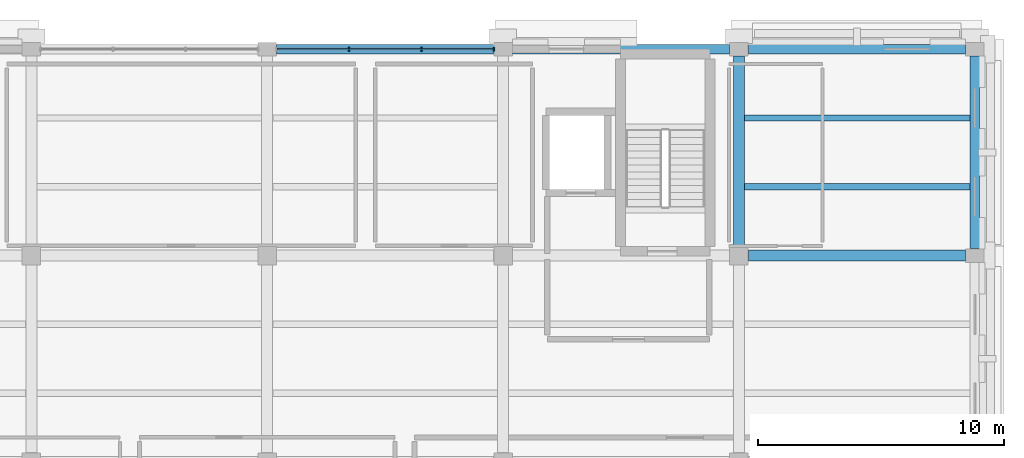
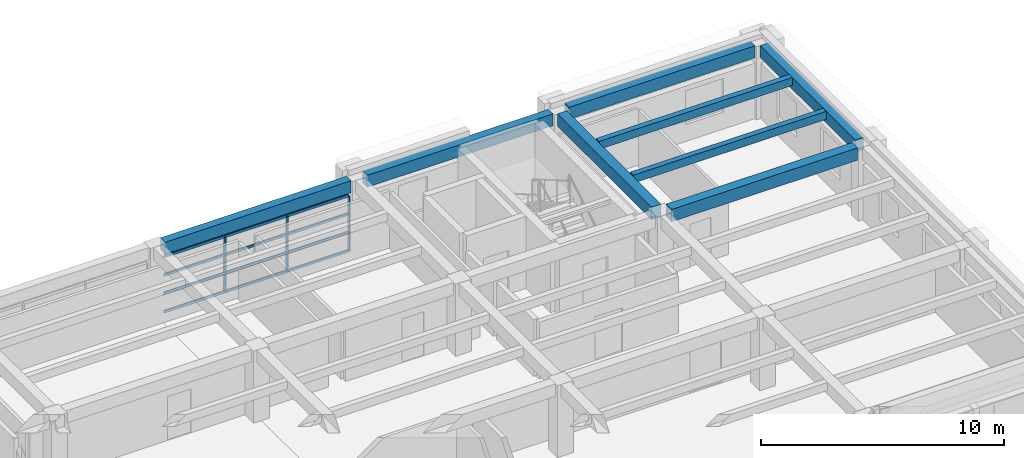
# One storey, part 4 of 12: 8 beams, 7 members, 1 element without a shape of its own.
"""IFC4 building model written with IfcOpenShell, lengths in metres."""

from ifc_helpers import new_model, si_unit, direction, frame, origin, origin_2d, place, context, subcontext, project, spatial, rectangle, extrude, material, layer, layer_set, material_profile, profile_set, type_object, element, aggregate, save


model = new_model("IFC4")

# Units and contexts
model_context = context("Model", 3, precision=1e-05, world=origin(), true_north=direction((0.0, 1.0)))
body_context = subcontext(model_context, "Body", "Model", "MODEL_VIEW")
ifc_project = project(units=[si_unit("LENGTHUNIT", "METRE"), si_unit("AREAUNIT", "SQUARE_METRE"), si_unit("VOLUMEUNIT", "CUBIC_METRE"), si_unit("PLANEANGLEUNIT", "RADIAN"), si_unit("MASSUNIT", "GRAM", prefix="KILO")], contexts=[model_context])

# Site, building, storey
site_placement = place(None, origin())
site = spatial("IfcSite", under=ifc_project, at=site_placement, CompositionType="ELEMENT")
building_placement = place(site_placement, origin())
building = spatial("IfcBuilding", under=site, at=building_placement, Name="Bempovik Park Faculty of Sciences", CompositionType="ELEMENT")
storey_placement = place(building_placement, frame((0.0, 0.0, 34.5)))
storey = spatial("IfcBuildingStorey", under=building, at=storey_placement, Name="L08", CompositionType="ELEMENT", Elevation=34.5)

# Beams
ifc_material_1 = material(Name="Concrete C35/45", Category="concrete")
ifc_material_profile_1 = material_profile(ifc_material_1, rectangle(XDim=0.3798828125, YDim=0.60009765625, at=origin_2d()), Name="RC 380x600")
ifc_profile_set_1 = profile_set([ifc_material_profile_1], Name="Concrete C35/45")
beam_type_1 = type_object("IfcBeamType", Name="B-032 RC 380x600", PredefinedType="SPANDREL", material=ifc_profile_set_1)
beam_1_placement = place(storey_placement, frame((89.180908203125, 119.39990234375, 3.320068359375), z_axis=(1.0, 0.0, 0.0), x_axis=(0.0, 1.0, 0.0)))
element("IfcBeam", 1, at=beam_1_placement, inside=storey, type_object=beam_type_1, Name="L08 Beam X (88.8-98.4, y=119.4)", PredefinedType="SPANDREL", context=body_context, shape_type="SweptSolid", body=[
    extrude(rectangle(XDim=0.3798828125, YDim=0.60009765625, at=origin_2d()), origin(), (0.0, 0.0, 1.0), 8.838134765625),
])
for number, where, z_axis, x_axis, name in (
    (2, (98.781005859375, 119.39990234375, 3.320068359375), (1.0, 0.0, 0.0), (0.0, 1.0, 0.0), "L08 Beam X (98.4-108.0, y=119.4)"),
    (3, (108.381103515625, 119.39990234375, 3.3798828125), (1.0, 0.0, 0.0), (0.0, 1.0, 0.0), "L08 Beam X (108.0-117.6, y=119.4)"),
):
    element("IfcBeam", number, at=place(storey_placement, frame(where, z_axis=z_axis, x_axis=x_axis)), inside=storey, type_object=beam_type_1, Name=name, PredefinedType="SPANDREL", context=body_context, shape_type="SweptSolid", body=[
        extrude(rectangle(XDim=0.3798828125, YDim=0.60009765625, at=origin_2d()), origin(), (0.0, 0.0, 1.0), 8.837890625),
    ])
beam_2_placement = place(storey_placement, frame((117.60009765625, 111.281005859375, 3.3798828125), z_axis=(0.0, 1.0, 0.0), x_axis=(-1.0, 0.0, 0.0)))
element("IfcBeam", 4, at=beam_2_placement, inside=storey, type_object=beam_type_1, Name="L08 Beam Y (x=117.6, 111.0-119.4)", PredefinedType="SPANDREL", context=body_context, shape_type="SweptSolid", body=[
    extrude(rectangle(XDim=0.3798828125, YDim=0.60009765625, at=origin_2d()), origin(), (0.0, 0.0, 1.0), 7.837890625),
])
ifc_material_profile_2 = material_profile(ifc_material_1, rectangle(XDim=0.260009765625, YDim=0.39990234375, at=origin_2d()), Name="RC 260x400")
ifc_profile_set_2 = profile_set([ifc_material_profile_2], Name="Concrete C35/45")
beam_type_2 = type_object("IfcBeamType", Name="B-063 RC 260x400", PredefinedType="JOIST", material=ifc_profile_set_2)
for number, where, z_axis, x_axis, name in (
    (5, (108.23095703125, 113.800048828125, 3.47998046875), (1.0, 0.0, 0.0), (0.0, 1.0, 0.0), "L08 Secondary Joist (108.0-117.6, y=113.80)"),
    (6, (108.23095703125, 116.60009765625, 3.47998046875), (1.0, 0.0, 0.0), (0.0, 1.0, 0.0), "L08 Secondary Joist (108.0-117.6, y=116.60)"),
):
    element("IfcBeam", number, at=place(storey_placement, frame(where, z_axis=z_axis, x_axis=x_axis)), inside=storey, type_object=beam_type_2, Name=name, PredefinedType="JOIST", context=body_context, shape_type="SweptSolid", body=[
        extrude(rectangle(XDim=0.260009765625, YDim=0.39990234375, at=origin_2d()), origin(), (0.0, 0.0, 1.0), 9.173095703125),
    ])
ifc_material_profile_3 = material_profile(ifc_material_1, rectangle(XDim=0.449951171875, YDim=0.6201171875, at=origin_2d()), Name="RC 450x620")
ifc_profile_set_3 = profile_set([ifc_material_profile_3], Name="Concrete C35/45")
beam_type_3 = type_object("IfcBeamType", Name="B-114 RC 450x620", PredefinedType="BEAM", material=ifc_profile_set_3)
beam_3_placement = place(storey_placement, frame((108.381103515625, 111.0, 3.35009765625), z_axis=(1.0, 0.0, 0.0), x_axis=(0.0, 1.0, 0.0)))
element("IfcBeam", 7, at=beam_3_placement, inside=storey, type_object=beam_type_3, Name="L08 Beam X (108.0-117.6, y=111.0)", PredefinedType="BEAM", context=body_context, shape_type="SweptSolid", body=[
    extrude(rectangle(XDim=0.449951171875, YDim=0.6201171875, at=origin_2d()), origin(), (0.0, 0.0, 1.0), 8.837890625),
])
beam_4_placement = place(storey_placement, frame((108.0, 111.381103515625, 3.31005859375), z_axis=(0.0, 1.0, 0.0), x_axis=(-1.0, 0.0, 0.0)))
element("IfcBeam", 8, at=beam_4_placement, inside=storey, type_object=beam_type_3, Name="L08 Beam Y (x=108.0, 111.0-119.4)", PredefinedType="BEAM", context=body_context, shape_type="SweptSolid", body=[
    extrude(rectangle(XDim=0.449951171875, YDim=0.6201171875, at=origin_2d()), origin(), (0.0, 0.0, 1.0), 7.73779296875),
])

# Curtain wall, members
ifc_material_2 = material(Name="Tempered laminated low-E glass", Category="glass")
ifc_layer = layer(ifc_material_2, 0.159912109375)
ifc_layer_set = layer_set([ifc_layer], Name="Tempered laminated low-E glass")
curtain_wall_type = type_object("IfcCurtainWallType", Name="CW-24 Curtain 7000x3500", PredefinedType="USERDEFINED", material=ifc_layer_set)
curtain_wall_placement = place(storey_placement, origin())
curtain_wall = element("IfcCurtainWall", 9, at=curtain_wall_placement, inside=storey, type_object=curtain_wall_type, Name="L08 Unitised Curtain Wall (119.4,88.8)", ObjectType="UNITISED CURTAIN WALL", PredefinedType="USERDEFINED")
ifc_material_3 = material(Name="Anodised architectural bronze", Category="aluminium")
ifc_material_profile_4 = material_profile(ifc_material_3, rectangle(XDim=0.06005859375, YDim=0.159912109375, at=origin_2d()), Name="ALU-M 60x160")
ifc_profile_set_4 = profile_set([ifc_material_profile_4], Name="Anodised architectural bronze")
member_type_1 = type_object("IfcMemberType", Name="ML-21 ALU-M 60x160", PredefinedType="MULLION", material=ifc_profile_set_4)
member_1_placement = place(storey_placement, frame((92.125732421875, 119.39990234375, 0.0), z_axis=(0.0, 0.0, 1.0), x_axis=(1.0, 0.0, 0.0)))
member_1 = element("IfcMember", 10, at=member_1_placement, type_object=member_type_1, Name="CW-BAY-L08-1194-888 Mullion 1", PredefinedType="MULLION", context=body_context, shape_type="SweptSolid", body=[
    extrude(rectangle(XDim=0.06005859375, YDim=0.159912109375, at=origin_2d()), origin(), (0.0, 0.0, 1.0), 2.780029296875),
])
member_2_placement = place(storey_placement, frame((95.07421875, 119.39990234375, 0.0), z_axis=(0.0, 0.0, 1.0), x_axis=(1.0, 0.0, 0.0)))
member_2 = element("IfcMember", 11, at=member_2_placement, type_object=member_type_1, Name="CW-BAY-L08-1194-888 Mullion 2", PredefinedType="MULLION", context=body_context, shape_type="SweptSolid", body=[
    extrude(rectangle(XDim=0.06005859375, YDim=0.159912109375, at=origin_2d()), origin(), (0.0, 0.0, 1.0), 2.780029296875),
])
member_3_placement = place(storey_placement, frame((98.02294921875, 119.39990234375, 0.0), z_axis=(0.0, 0.0, 1.0), x_axis=(1.0, 0.0, 0.0)))
member_3 = element("IfcMember", 12, at=member_3_placement, type_object=member_type_1, Name="CW-BAY-L08-1194-888 Mullion 3", PredefinedType="MULLION", context=body_context, shape_type="SweptSolid", body=[
    extrude(rectangle(XDim=0.06005859375, YDim=0.159912109375, at=origin_2d()), origin(), (0.0, 0.0, 1.0), 2.780029296875),
])
ifc_material_profile_5 = material_profile(ifc_material_3, rectangle(XDim=0.06005859375, YDim=0.1298828125, at=origin_2d()), Name="ALU-T 60x130")
ifc_profile_set_5 = profile_set([ifc_material_profile_5], Name="Anodised architectural bronze")
member_type_2 = type_object("IfcMemberType", Name="TR-25 ALU-T 60x130", PredefinedType="USERDEFINED", material=ifc_profile_set_5)
member_4_placement = place(storey_placement, frame((89.217041015625, 119.39990234375, 0.0), z_axis=(1.0, 0.0, 0.0), x_axis=(0.0, 1.0, 0.0)))
member_4 = element("IfcMember", 13, at=member_4_placement, type_object=member_type_2, Name="CW-BAY-L08-1194-888 Transom 0", ObjectType="TRANSOM", PredefinedType="USERDEFINED", context=body_context, shape_type="SweptSolid", body=[
    extrude(rectangle(XDim=0.06005859375, YDim=0.1298828125, at=origin_2d()), origin(), (0.0, 0.0, 1.0), 8.765869140625),
])
member_5_placement = place(storey_placement, frame((89.217041015625, 119.39990234375, 0.9267578125), z_axis=(1.0, 0.0, 0.0), x_axis=(0.0, 1.0, 0.0)))
member_5 = element("IfcMember", 14, at=member_5_placement, type_object=member_type_2, Name="CW-BAY-L08-1194-888 Transom 1", ObjectType="TRANSOM", PredefinedType="USERDEFINED", context=body_context, shape_type="SweptSolid", body=[
    extrude(rectangle(XDim=0.06005859375, YDim=0.1298828125, at=origin_2d()), origin(), (0.0, 0.0, 1.0), 8.765869140625),
])
member_6_placement = place(storey_placement, frame((89.217041015625, 119.39990234375, 1.853271484375), z_axis=(1.0, 0.0, 0.0), x_axis=(0.0, 1.0, 0.0)))
member_6 = element("IfcMember", 15, at=member_6_placement, type_object=member_type_2, Name="CW-BAY-L08-1194-888 Transom 2", ObjectType="TRANSOM", PredefinedType="USERDEFINED", context=body_context, shape_type="SweptSolid", body=[
    extrude(rectangle(XDim=0.06005859375, YDim=0.1298828125, at=origin_2d()), origin(), (0.0, 0.0, 1.0), 8.765869140625),
])
member_7_placement = place(storey_placement, frame((89.217041015625, 119.39990234375, 2.780029296875), z_axis=(1.0, 0.0, 0.0), x_axis=(0.0, 1.0, 0.0)))
member_7 = element("IfcMember", 16, at=member_7_placement, type_object=member_type_2, Name="CW-BAY-L08-1194-888 Transom 3", ObjectType="TRANSOM", PredefinedType="USERDEFINED", context=body_context, shape_type="SweptSolid", body=[
    extrude(rectangle(XDim=0.06005859375, YDim=0.1298828125, at=origin_2d()), origin(), (0.0, 0.0, 1.0), 8.765869140625),
])
aggregate(curtain_wall, [member_1, member_2, member_3, member_4, member_5, member_6, member_7])

save(model, "model.ifc")
